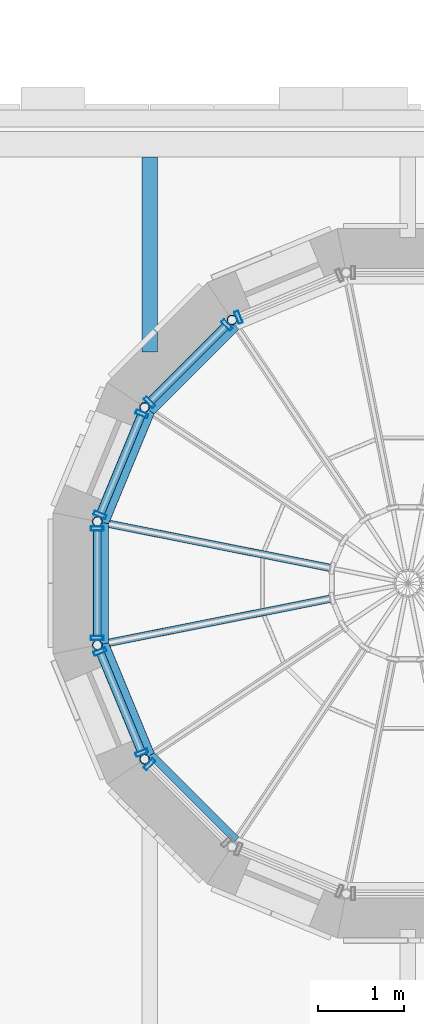
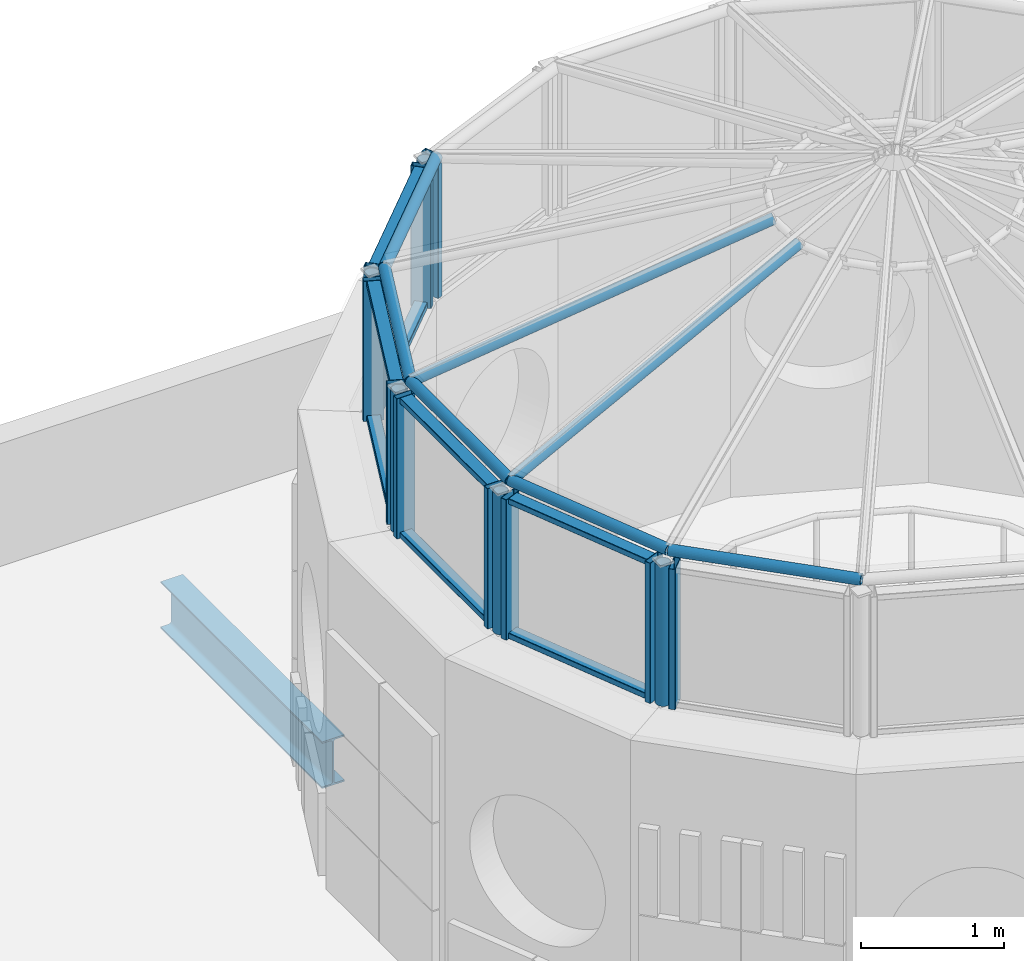
# One storey, part 12 of 98: 31 members, 6 elements without a shape of their own.
"""IFC4 building model written with IfcOpenShell, lengths in metres."""

from ifc_helpers import new_model, si_unit, direction, frame, origin, origin_2d, place, context, subcontext, project, spatial, hollow_rectangle, hollow_circle, i_section, extrude, material, material_profile, profile_set, type_object, element, aggregate, save


model = new_model("IFC4")

# Units and contexts
model_context = context("Model", 3, precision=1e-05, world=origin(), true_north=direction((0.0, 1.0)))
body_context = subcontext(model_context, "Body", "Model", "MODEL_VIEW")
ifc_project = project(units=[si_unit("LENGTHUNIT", "METRE"), si_unit("AREAUNIT", "SQUARE_METRE"), si_unit("VOLUMEUNIT", "CUBIC_METRE"), si_unit("PLANEANGLEUNIT", "RADIAN"), si_unit("MASSUNIT", "GRAM", prefix="KILO")], contexts=[model_context])

# Site, building, storey
site_placement = place(None, origin())
site = spatial("IfcSite", under=ifc_project, at=site_placement, CompositionType="ELEMENT")
building_placement = place(site_placement, origin())
building = spatial("IfcBuilding", under=site, at=building_placement, Name="Sun Court Science Centre", CompositionType="ELEMENT")
storey_placement = place(building_placement, frame((0.0, 0.0, 15.75)))
storey = spatial("IfcBuildingStorey", under=building, at=storey_placement, Name="L03", CompositionType="ELEMENT", Elevation=15.75)

# Curtain wall, member
ifc_material_1 = material(Name="Aluminium EN AW-6063 T6", Category="aluminium")
curtain_wall_type = type_object("IfcCurtainWallType", Name="Lantern clerestory curtain wall 1500", PredefinedType="NOTDEFINED", material=ifc_material_1)
curtain_wall_1_placement = place(storey_placement, origin())
curtain_wall_1 = element("IfcCurtainWall", 1, at=curtain_wall_1_placement, inside=storey, type_object=curtain_wall_type, Name="Curtain wall V2 C6 clerestory L03 05", PredefinedType="NOTDEFINED")
ifc_material_2 = material(Name="Aluminium EN AW-6063 T6", Category="aluminium")
ifc_material_profile_1 = material_profile(ifc_material_2, hollow_rectangle(XDim=0.050048828125, YDim=0.14990234375, WallThickness=0.00390625, InnerFilletRadius=0.00390625, OuterFilletRadius=0.006103515625, at=origin_2d()), Name="AL 50x150x4")
ifc_profile_set_1 = profile_set([ifc_material_profile_1], Name="Aluminium EN AW-6063 T6")
member_type_1 = type_object("IfcMemberType", Name="Curtain wall mullion AL 50x150", PredefinedType="MULLION", material=ifc_profile_set_1)
member_1_placement = place(storey_placement, frame((64.032470703125, 25.58984375, 3.050048828125), z_axis=(0.0, 0.0, 1.0), x_axis=(0.923879532511, 0.382683432365, 0.0)))
member_1 = element("IfcMember", 2, at=member_1_placement, type_object=member_type_1, Name="CW4-85 mullion 1", PredefinedType="MULLION", context=body_context, shape_type="SweptSolid", body=[
    extrude(hollow_rectangle(XDim=0.050048828125, YDim=0.14990234375, WallThickness=0.00390625, InnerFilletRadius=0.00390625, OuterFilletRadius=0.006103515625, at=origin_2d()), origin(), (0.0, 0.0, 1.0), 1.199951171875),
])
aggregate(curtain_wall_1, [member_1])

# Curtain wall, members
curtain_wall_2_placement = place(storey_placement, origin())
curtain_wall_2 = element("IfcCurtainWall", 3, at=curtain_wall_2_placement, inside=storey, type_object=curtain_wall_type, Name="Curtain wall V2 C6 clerestory L03 06", PredefinedType="NOTDEFINED")
member_2_placement = place(storey_placement, frame((62.999755859375, 24.6015625, 3.050048828125), z_axis=(0.0, 0.0, 1.0), x_axis=(0.707106781187, 0.707106781187, 0.0)))
member_2 = element("IfcMember", 4, at=member_2_placement, type_object=member_type_1, Name="CW4-86 mullion 1", PredefinedType="MULLION", context=body_context, shape_type="SweptSolid", body=[
    extrude(hollow_rectangle(XDim=0.050048828125, YDim=0.14990234375, WallThickness=0.00390625, InnerFilletRadius=0.00390625, OuterFilletRadius=0.006103515625, at=origin_2d()), origin(), (0.0, 0.0, 1.0), 1.199951171875),
])
member_3_placement = place(storey_placement, frame((63.8984375, 25.500244140625, 3.050048828125), z_axis=(0.0, 0.0, 1.0), x_axis=(0.707106781187, 0.707106781187, 0.0)))
member_3 = element("IfcMember", 5, at=member_3_placement, type_object=member_type_1, Name="CW4-86 mullion 2", PredefinedType="MULLION", context=body_context, shape_type="SweptSolid", body=[
    extrude(hollow_rectangle(XDim=0.050048828125, YDim=0.14990234375, WallThickness=0.00390625, InnerFilletRadius=0.00390625, OuterFilletRadius=0.006103515625, at=origin_2d()), origin(), (0.0, 0.0, 1.0), 1.199951171875),
])

curtain_wall_3_placement = place(storey_placement, origin())
curtain_wall_3 = element("IfcCurtainWall", 6, at=curtain_wall_3_placement, inside=storey, type_object=curtain_wall_type, Name="Curtain wall V2 C6 clerestory L03 07", PredefinedType="NOTDEFINED")
member_4_placement = place(storey_placement, frame((62.423828125, 23.29345703125, 3.050048828125), z_axis=(0.0, 0.0, 1.0), x_axis=(0.382683432365, 0.923879532511, 0.0)))
member_4 = element("IfcMember", 7, at=member_4_placement, type_object=member_type_1, Name="CW4-87 mullion 1", PredefinedType="MULLION", context=body_context, shape_type="SweptSolid", body=[
    extrude(hollow_rectangle(XDim=0.050048828125, YDim=0.14990234375, WallThickness=0.00390625, InnerFilletRadius=0.00390625, OuterFilletRadius=0.006103515625, at=origin_2d()), origin(), (0.0, 0.0, 1.0), 1.199951171875),
])
member_5_placement = place(storey_placement, frame((62.91015625, 24.467529296875, 3.050048828125), z_axis=(0.0, 0.0, 1.0), x_axis=(0.382683432365, 0.923879532511, 0.0)))
member_5 = element("IfcMember", 8, at=member_5_placement, type_object=member_type_1, Name="CW4-87 mullion 2", PredefinedType="MULLION", context=body_context, shape_type="SweptSolid", body=[
    extrude(hollow_rectangle(XDim=0.050048828125, YDim=0.14990234375, WallThickness=0.00390625, InnerFilletRadius=0.00390625, OuterFilletRadius=0.006103515625, at=origin_2d()), origin(), (0.0, 0.0, 1.0), 1.199951171875),
])

curtain_wall_4_placement = place(storey_placement, origin())
curtain_wall_4 = element("IfcCurtainWall", 9, at=curtain_wall_4_placement, inside=storey, type_object=curtain_wall_type, Name="Curtain wall V2 C6 clerestory L03 08", PredefinedType="NOTDEFINED")
member_6_placement = place(storey_placement, frame((62.392333984375, 21.864501953125, 3.050048828125), z_axis=(0.0, 0.0, 1.0), x_axis=(0.0, 1.0, 0.0)))
member_6 = element("IfcMember", 10, at=member_6_placement, type_object=member_type_1, Name="CW4-88 mullion 1", PredefinedType="MULLION", context=body_context, shape_type="SweptSolid", body=[
    extrude(hollow_rectangle(XDim=0.050048828125, YDim=0.14990234375, WallThickness=0.00390625, InnerFilletRadius=0.00390625, OuterFilletRadius=0.006103515625, at=origin_2d()), origin(), (0.0, 0.0, 1.0), 1.199951171875),
])
member_7_placement = place(storey_placement, frame((62.392333984375, 23.135498046875, 3.050048828125), z_axis=(0.0, 0.0, 1.0), x_axis=(0.0, 1.0, 0.0)))
member_7 = element("IfcMember", 11, at=member_7_placement, type_object=member_type_1, Name="CW4-88 mullion 2", PredefinedType="MULLION", context=body_context, shape_type="SweptSolid", body=[
    extrude(hollow_rectangle(XDim=0.050048828125, YDim=0.14990234375, WallThickness=0.00390625, InnerFilletRadius=0.00390625, OuterFilletRadius=0.006103515625, at=origin_2d()), origin(), (0.0, 0.0, 1.0), 1.199951171875),
])

curtain_wall_5_placement = place(storey_placement, origin())
curtain_wall_5 = element("IfcCurtainWall", 12, at=curtain_wall_5_placement, inside=storey, type_object=curtain_wall_type, Name="Curtain wall V2 C6 clerestory L03 09", PredefinedType="NOTDEFINED")
member_8_placement = place(storey_placement, frame((62.91015625, 20.532470703125, 3.050048828125), z_axis=(0.0, 0.0, 1.0), x_axis=(-0.382683432365, 0.923879532511, 0.0)))
member_8 = element("IfcMember", 13, at=member_8_placement, type_object=member_type_1, Name="CW4-89 mullion 1", PredefinedType="MULLION", context=body_context, shape_type="SweptSolid", body=[
    extrude(hollow_rectangle(XDim=0.050048828125, YDim=0.14990234375, WallThickness=0.00390625, InnerFilletRadius=0.00390625, OuterFilletRadius=0.006103515625, at=origin_2d()), origin(), (0.0, 0.0, 1.0), 1.199951171875),
])
member_9_placement = place(storey_placement, frame((62.423828125, 21.70654296875, 3.050048828125), z_axis=(0.0, 0.0, 1.0), x_axis=(-0.382683432365, 0.923879532511, 0.0)))
member_9 = element("IfcMember", 14, at=member_9_placement, type_object=member_type_1, Name="CW4-89 mullion 2", PredefinedType="MULLION", context=body_context, shape_type="SweptSolid", body=[
    extrude(hollow_rectangle(XDim=0.050048828125, YDim=0.14990234375, WallThickness=0.00390625, InnerFilletRadius=0.00390625, OuterFilletRadius=0.006103515625, at=origin_2d()), origin(), (0.0, 0.0, 1.0), 1.199951171875),
])

# Curtain wall, member
curtain_wall_6_placement = place(storey_placement, origin())
curtain_wall_6 = element("IfcCurtainWall", 15, at=curtain_wall_6_placement, inside=storey, type_object=curtain_wall_type, Name="Curtain wall V2 C6 clerestory L03 10", PredefinedType="NOTDEFINED")
member_10_placement = place(storey_placement, frame((62.999755859375, 20.3984375, 3.050048828125), z_axis=(0.0, 0.0, 1.0), x_axis=(-0.707106781187, 0.707106781187, 0.0)))
member_10 = element("IfcMember", 16, at=member_10_placement, type_object=member_type_1, Name="CW4-90 mullion 2", PredefinedType="MULLION", context=body_context, shape_type="SweptSolid", body=[
    extrude(hollow_rectangle(XDim=0.050048828125, YDim=0.14990234375, WallThickness=0.00390625, InnerFilletRadius=0.00390625, OuterFilletRadius=0.006103515625, at=origin_2d()), origin(), (0.0, 0.0, 1.0), 1.199951171875),
])
aggregate(curtain_wall_6, [member_10])

# Member
ifc_material_3 = material(Name="Aluminium EN AW-6063 T6", Category="aluminium")
ifc_material_profile_2 = material_profile(ifc_material_3, hollow_rectangle(XDim=0.050048828125, YDim=0.10009765625, WallThickness=0.00390625, InnerFilletRadius=0.00390625, OuterFilletRadius=0.006103515625, at=origin_2d()), Name="AL 50x100x4")
ifc_profile_set_2 = profile_set([ifc_material_profile_2], Name="Aluminium EN AW-6063 T6")
member_type_2 = type_object("IfcMemberType", Name="Curtain wall transom AL 50x100", PredefinedType="USERDEFINED", material=ifc_profile_set_2)
member_11_placement = place(storey_placement, frame((63.017333984375, 24.619384765625, 3.074951171875), z_axis=(0.707106781187, 0.707106781187, 0.0), x_axis=(0.0, 0.0, 1.0)))
member_11 = element("IfcMember", 17, at=member_11_placement, type_object=member_type_2, Name="CW4-86 transom 1.1", ObjectType="TRANSOM", PredefinedType="USERDEFINED", context=body_context, shape_type="SweptSolid", body=[
    extrude(hollow_rectangle(XDim=0.050048828125, YDim=0.10009765625, WallThickness=0.00390625, InnerFilletRadius=0.00390625, OuterFilletRadius=0.006103515625, at=origin_2d()), origin(), (0.0, 0.0, 1.0), 1.220947265625),
])

member_12_placement = place(storey_placement, frame((63.017333984375, 24.619384765625, 4.22509765625), z_axis=(0.707106781187, 0.707106781187, 0.0), x_axis=(0.0, 0.0, 1.0)))
member_12 = element("IfcMember", 18, at=member_12_placement, type_object=member_type_2, Name="CW4-86 transom 1.2", ObjectType="TRANSOM", PredefinedType="USERDEFINED", context=body_context, shape_type="SweptSolid", body=[
    extrude(hollow_rectangle(XDim=0.050048828125, YDim=0.10009765625, WallThickness=0.00390625, InnerFilletRadius=0.00390625, OuterFilletRadius=0.006103515625, at=origin_2d()), origin(), (0.0, 0.0, 1.0), 1.220947265625),
])

aggregate(curtain_wall_2, [member_2, member_3, member_11, member_12])

member_13_placement = place(storey_placement, frame((62.433349609375, 23.316650390625, 3.074951171875), z_axis=(0.38274032778, 0.923855963606, 0.0), x_axis=(0.0, 0.0, 1.0)))
member_13 = element("IfcMember", 19, at=member_13_placement, type_object=member_type_2, Name="CW4-87 transom 1.1", ObjectType="TRANSOM", PredefinedType="USERDEFINED", context=body_context, shape_type="SweptSolid", body=[
    extrude(hollow_rectangle(XDim=0.050048828125, YDim=0.10009765625, WallThickness=0.00390625, InnerFilletRadius=0.00390625, OuterFilletRadius=0.006103515625, at=origin_2d()), origin(), (0.0, 0.0, 1.0), 1.220947265625),
])

member_14_placement = place(storey_placement, frame((62.433349609375, 23.316650390625, 4.22509765625), z_axis=(0.38274032778, 0.923855963606, 0.0), x_axis=(0.0, 0.0, 1.0)))
member_14 = element("IfcMember", 20, at=member_14_placement, type_object=member_type_2, Name="CW4-87 transom 1.2", ObjectType="TRANSOM", PredefinedType="USERDEFINED", context=body_context, shape_type="SweptSolid", body=[
    extrude(hollow_rectangle(XDim=0.050048828125, YDim=0.10009765625, WallThickness=0.00390625, InnerFilletRadius=0.00390625, OuterFilletRadius=0.006103515625, at=origin_2d()), origin(), (0.0, 0.0, 1.0), 1.220947265625),
])

aggregate(curtain_wall_3, [member_4, member_5, member_13, member_14])

member_15_placement = place(storey_placement, frame((62.392333984375, 21.8896484375, 3.074951171875), z_axis=(0.0, 1.0, 0.0), x_axis=(0.0, 0.0, 1.0)))
member_15 = element("IfcMember", 21, at=member_15_placement, type_object=member_type_2, Name="CW4-88 transom 1.1", ObjectType="TRANSOM", PredefinedType="USERDEFINED", context=body_context, shape_type="SweptSolid", body=[
    extrude(hollow_rectangle(XDim=0.050048828125, YDim=0.10009765625, WallThickness=0.00390625, InnerFilletRadius=0.00390625, OuterFilletRadius=0.006103515625, at=origin_2d()), origin(), (0.0, 0.0, 1.0), 1.220703125),
])

member_16_placement = place(storey_placement, frame((62.392333984375, 21.8896484375, 4.22509765625), z_axis=(0.0, 1.0, 0.0), x_axis=(0.0, 0.0, 1.0)))
member_16 = element("IfcMember", 22, at=member_16_placement, type_object=member_type_2, Name="CW4-88 transom 1.2", ObjectType="TRANSOM", PredefinedType="USERDEFINED", context=body_context, shape_type="SweptSolid", body=[
    extrude(hollow_rectangle(XDim=0.050048828125, YDim=0.10009765625, WallThickness=0.00390625, InnerFilletRadius=0.00390625, OuterFilletRadius=0.006103515625, at=origin_2d()), origin(), (0.0, 0.0, 1.0), 1.220703125),
])

aggregate(curtain_wall_4, [member_6, member_7, member_15, member_16])

member_17_placement = place(storey_placement, frame((62.900634765625, 20.555419921875, 3.074951171875), z_axis=(-0.38274032778, 0.923855963606, 0.0), x_axis=(0.0, 0.0, 1.0)))
member_17 = element("IfcMember", 23, at=member_17_placement, type_object=member_type_2, Name="CW4-89 transom 1.1", ObjectType="TRANSOM", PredefinedType="USERDEFINED", context=body_context, shape_type="SweptSolid", body=[
    extrude(hollow_rectangle(XDim=0.050048828125, YDim=0.10009765625, WallThickness=0.00390625, InnerFilletRadius=0.00390625, OuterFilletRadius=0.006103515625, at=origin_2d()), origin(), (0.0, 0.0, 1.0), 1.220947265625),
])

member_18_placement = place(storey_placement, frame((62.900634765625, 20.555419921875, 4.22509765625), z_axis=(-0.38274032778, 0.923855963606, 0.0), x_axis=(0.0, 0.0, 1.0)))
member_18 = element("IfcMember", 24, at=member_18_placement, type_object=member_type_2, Name="CW4-89 transom 1.2", ObjectType="TRANSOM", PredefinedType="USERDEFINED", context=body_context, shape_type="SweptSolid", body=[
    extrude(hollow_rectangle(XDim=0.050048828125, YDim=0.10009765625, WallThickness=0.00390625, InnerFilletRadius=0.00390625, OuterFilletRadius=0.006103515625, at=origin_2d()), origin(), (0.0, 0.0, 1.0), 1.220947265625),
])

aggregate(curtain_wall_5, [member_8, member_9, member_17, member_18])

# Members
ifc_material_4 = material(Name="Steel S355", Category="steel")
ifc_material_profile_3 = material_profile(ifc_material_4, hollow_circle(Radius=0.04443359375, WallThickness=0.0048828125, at=origin_2d()), Name="CHS 88.9x5")
ifc_profile_set_3 = profile_set([ifc_material_profile_3], Name="Steel S355")
member_type_3 = type_object("IfcMemberType", Name="Lantern base ring CHS 88.9x5", PredefinedType="CHORD", material=ifc_profile_set_3)
for number, where, z_axis, x_axis, name in (
    (25, (64.006591796875, 25.4833984375, 4.29443359375), (-0.707106781187, -0.707106781187, 0.0), (0.707106781187, -0.707106781187, 0.0), "Cone 6 lantern base ring 6"),
    (26, (63.0166015625, 24.493408203125, 4.29443359375), (-0.382757337134, -0.92384891669, 0.0), (0.92384891669, -0.382757337134, 0.0), "Cone 6 lantern base ring 7"),
):
    element("IfcMember", number, at=place(storey_placement, frame(where, z_axis=z_axis, x_axis=x_axis)), inside=storey, type_object=member_type_3, Name=name, PredefinedType="CHORD", context=body_context, shape_type="SweptSolid", body=[
        extrude(hollow_circle(Radius=0.04443359375, WallThickness=0.0048828125, at=origin_2d()), origin(), (0.0, 0.0, 1.0), 1.400146484375),
    ])
member_19_placement = place(storey_placement, frame((62.480712890625, 23.199951171875, 4.29443359375), z_axis=(0.0, -1.0, 0.0), x_axis=(1.0, 0.0, 0.0)))
element("IfcMember", 27, at=member_19_placement, inside=storey, type_object=member_type_3, Name="Cone 6 lantern base ring 8", PredefinedType="CHORD", context=body_context, shape_type="SweptSolid", body=[
    extrude(hollow_circle(Radius=0.04443359375, WallThickness=0.0048828125, at=origin_2d()), origin(), (0.0, 0.0, 1.0), 1.39990234375),
])
for number, where, z_axis, x_axis, name in (
    (28, (62.480712890625, 21.800048828125, 4.29443359375), (0.382757337134, -0.92384891669, 0.0), (0.92384891669, 0.382757337134, 0.0), "Cone 6 lantern base ring 9"),
    (29, (63.0166015625, 20.506591796875, 4.29443359375), (0.707106781187, -0.707106781187, 0.0), (0.707106781187, 0.707106781187, 0.0), "Cone 6 lantern base ring 10"),
):
    element("IfcMember", number, at=place(storey_placement, frame(where, z_axis=z_axis, x_axis=x_axis)), inside=storey, type_object=member_type_3, Name=name, PredefinedType="CHORD", context=body_context, shape_type="SweptSolid", body=[
        extrude(hollow_circle(Radius=0.04443359375, WallThickness=0.0048828125, at=origin_2d()), origin(), (0.0, 0.0, 1.0), 1.400146484375),
    ])
ifc_material_5 = material(Name="Steel S355", Category="steel")
ifc_material_profile_4 = material_profile(ifc_material_5, hollow_circle(Radius=0.05712890625, WallThickness=0.00634765625, at=origin_2d()), Name="CHS 114.3x6.3")
ifc_profile_set_4 = profile_set([ifc_material_profile_4], Name="Steel S355")
member_type_4 = type_object("IfcMemberType", Name="Lantern post CHS 114.3x6.3", PredefinedType="POST", material=ifc_profile_set_4)
for number, where, z_axis, x_axis, name in (
    (30, (63.95654296875, 25.558349609375, 3.050048828125), (0.0, 0.0, 1.0), (1.0, 0.0, 0.0), "Cone 6 clerestory post 6"),
    (31, (62.941650390625, 24.54345703125, 3.050048828125), (0.0, 0.0, 1.0), (1.0, 0.0, 0.0), "Cone 6 clerestory post 7"),
    (32, (62.392333984375, 23.217529296875, 3.050048828125), (0.0, 0.0, 1.0), (1.0, 0.0, 0.0), "Cone 6 clerestory post 8"),
    (33, (62.392333984375, 21.782470703125, 3.050048828125), (0.0, 0.0, 1.0), (1.0, 0.0, 0.0), "Cone 6 clerestory post 9"),
    (34, (62.941650390625, 20.45654296875, 3.050048828125), (0.0, 0.0, 1.0), (1.0, 0.0, 0.0), "Cone 6 clerestory post 10"),
):
    element("IfcMember", number, at=place(storey_placement, frame(where, z_axis=z_axis, x_axis=x_axis)), inside=storey, type_object=member_type_4, Name=name, PredefinedType="POST", context=body_context, shape_type="SweptSolid", body=[
        extrude(hollow_circle(Radius=0.05712890625, WallThickness=0.00634765625, at=origin_2d()), origin(), (0.0, 0.0, 1.0), 1.199951171875),
    ])
ifc_material_6 = material(Name="Steel S355", Category="steel")
ifc_material_profile_5 = material_profile(ifc_material_6, hollow_circle(Radius=0.04443359375, WallThickness=0.0048828125, at=origin_2d()), Name="CHS 88.9x5")
ifc_profile_set_5 = profile_set([ifc_material_profile_5], Name="Steel S355")
member_type_5 = type_object("IfcMemberType", Name="Lantern rafter CHS 88.9x5", PredefinedType="RAFTER", material=ifc_profile_set_5)
for number, where, z_axis, x_axis, name in (
    (35, (62.480712890625, 23.199951171875, 4.29443359375), (0.941288042748, -0.187229068971, 0.280930767828), (0.195085547037, 0.980786230193, 0.0), "Cone 6 lantern rafter 8"),
    (36, (62.480712890625, 21.800048828125, 4.29443359375), (0.941288042748, 0.187229068971, 0.280930767828), (-0.195085547037, 0.980786230193, 0.0), "Cone 6 lantern rafter 9"),
):
    element("IfcMember", number, at=place(storey_placement, frame(where, z_axis=z_axis, x_axis=x_axis)), inside=storey, type_object=member_type_5, Name=name, PredefinedType="RAFTER", context=body_context, shape_type="SweptSolid", body=[
        extrude(hollow_circle(Radius=0.04443359375, WallThickness=0.0048828125, at=origin_2d()), origin(), (0.0, 0.0, 1.0), 2.801025390625),
    ])
ifc_material_7 = material(Name="Steel S275", Category="steel")
ifc_material_profile_6 = material_profile(ifc_material_7, i_section(OverallWidth=0.179931640625, OverallDepth=0.39990234375, WebThickness=0.008544921875, FlangeThickness=0.013427734375, FilletRadius=0.02099609375, at=origin_2d()), Name="IPE 400")
ifc_profile_set_6 = profile_set([ifc_material_profile_6], Name="Steel S275")
member_type_6 = type_object("IfcMemberType", Name="Roof purlin IPE 400", PredefinedType="PURLIN", material=ifc_profile_set_6)
member_20_placement = place(storey_placement, frame((63.0, 25.18408203125, -0.35009765625), z_axis=(0.0, 1.0, 0.0), x_axis=(-1.0, 0.0, 0.0)))
element("IfcMember", 37, at=member_20_placement, inside=storey, type_object=member_type_6, Name="Roof purlin", PredefinedType="PURLIN", context=body_context, shape_type="SweptSolid", body=[
    extrude(i_section(OverallWidth=0.179931640625, OverallDepth=0.39990234375, WebThickness=0.008544921875, FlangeThickness=0.013427734375, FilletRadius=0.02099609375, at=origin_2d()), origin(), (0.0, 0.0, 1.0), 2.265869140625),
])

save(model, "model.ifc")
